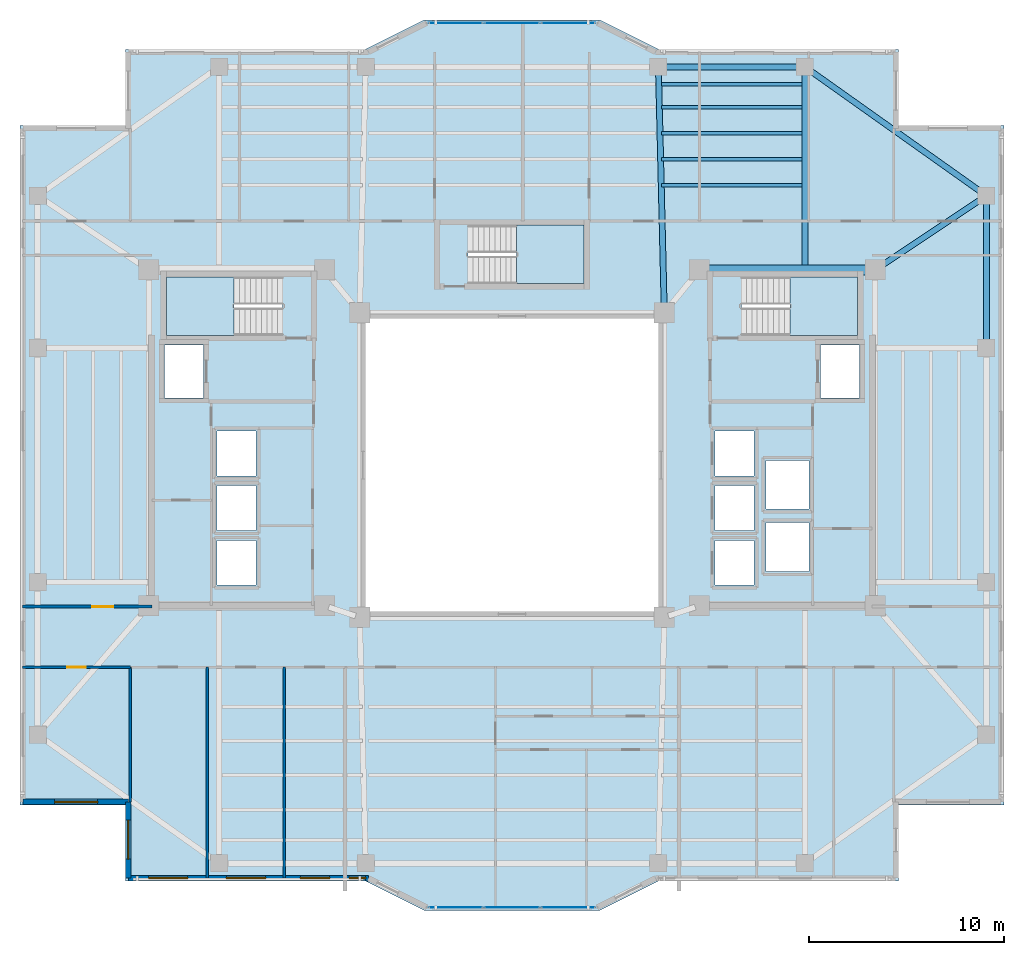
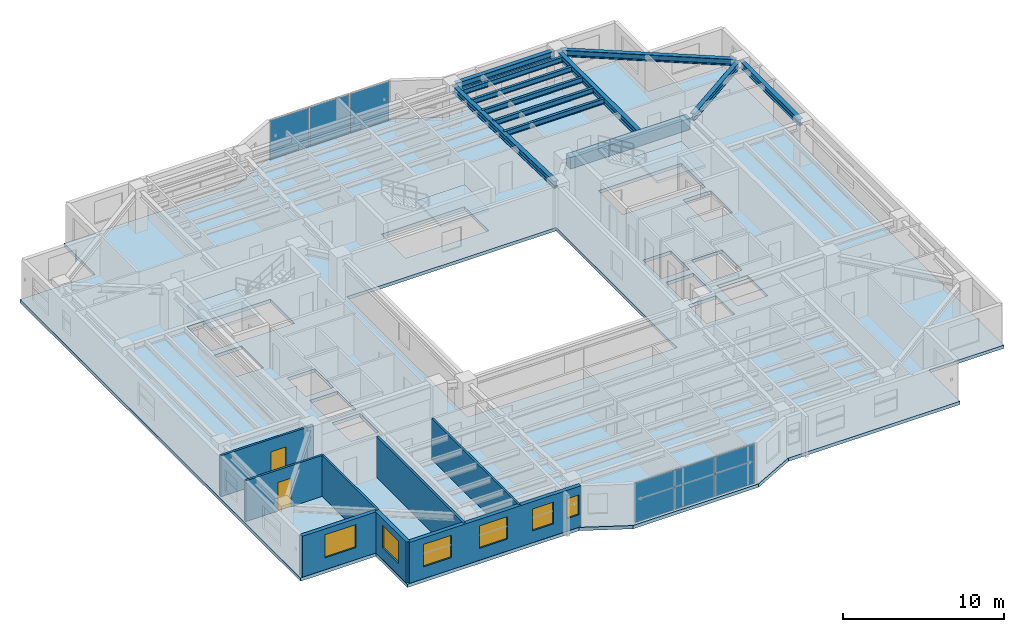
# One storey, part 5 of 15: 12 beams, 8 walls, 6 plates, 6 windows, 4 slabs, 2 doors, 8 openings, 5 elements without a shape of their own.
"""IFC4 building model written with IfcOpenShell, lengths in metres."""

from ifc_helpers import new_model, si_unit, direction, frame, frame_2d, origin, origin_2d, place, context, subcontext, project, spatial, polyline, rectangle, i_section, outline, extrude, material, layer, layer_set, material_profile, profile_set, type_object, element, fill, aggregate, save


model = new_model("IFC4")

# Units and contexts
model_context = context("Model", 3, precision=1e-05, world=origin(), true_north=direction((0.0, 1.0)))
body_context = subcontext(model_context, "Body", "Model", "MODEL_VIEW")
ifc_project = project(units=[si_unit("LENGTHUNIT", "METRE"), si_unit("AREAUNIT", "SQUARE_METRE"), si_unit("VOLUMEUNIT", "CUBIC_METRE"), si_unit("PLANEANGLEUNIT", "RADIAN"), si_unit("MASSUNIT", "GRAM", prefix="KILO")], contexts=[model_context])

# Site, building, storey
site_placement = place(None, origin())
site = spatial("IfcSite", under=ifc_project, at=site_placement, CompositionType="ELEMENT")
building_placement = place(site_placement, origin())
building = spatial("IfcBuilding", under=site, at=building_placement, Name="Tarnavaz Court Tower", CompositionType="ELEMENT")
storey_placement = place(building_placement, frame((0.0, 0.0, 142.64990234375)))
storey = spatial("IfcBuildingStorey", under=building, at=storey_placement, Name="L38", CompositionType="ELEMENT", Elevation=142.64990234375)

# Beams
ifc_material_1 = material(Name="Concrete C50/60", Category="concrete")
ifc_material_profile_1 = material_profile(ifc_material_1, rectangle(XDim=0.5, YDim=0.85009765625, at=origin_2d()), Name="RC 500X850")
ifc_profile_set_1 = profile_set([ifc_material_profile_1], Name="Concrete C50/60")
beam_type_1 = type_object("IfcBeamType", Name="BM-CB850", PredefinedType="LINTEL", material=ifc_profile_set_1)
beam_1_placement = place(storey_placement, frame((18.3798828125, 10.0, 2.675048828125), z_axis=(-1.0, 0.0, 0.0), x_axis=(0.0, -1.0, 0.0)))
element("IfcBeam", 1, at=beam_1_placement, inside=storey, type_object=beam_type_1, Name="L38 Beam IN-CE-NO-CE-NI", PredefinedType="LINTEL", context=body_context, shape_type="SweptSolid", body=[
    extrude(rectangle(XDim=0.5, YDim=0.85009765625, at=origin_2d()), origin(), (0.0, 0.0, 1.0), 8.559814453125),
])
ifc_material_2 = material(Name="Steel S355", Category="steel")
ifc_material_profile_2 = material_profile(ifc_material_2, i_section(OverallWidth=0.300048828125, OverallDepth=0.5, WebThickness=0.014404296875, FlangeThickness=0.028076171875, FilletRadius=0.027099609375, at=origin_2d()), Name="HEB 500")
ifc_profile_set_2 = profile_set([ifc_material_profile_2], Name="Steel S355")
beam_type_2 = type_object("IfcBeamType", Name="BM-G-HEB500", PredefinedType="USERDEFINED", material=ifc_profile_set_2)
beam_2_placement = place(storey_placement, frame((7.794921875, 8.02001953125, 2.85009765625), z_axis=(-0.023824748444, 0.999716150395, 0.0), x_axis=(-0.999716150395, -0.023824748444, 0.0)))
element("IfcBeam", 2, at=beam_2_placement, inside=storey, type_object=beam_type_2, Name="L38 Beam RG-03", ObjectType="GIRDER", PredefinedType="USERDEFINED", context=body_context, shape_type="SweptSolid", body=[
    extrude(i_section(OverallWidth=0.300048828125, OverallDepth=0.5, WebThickness=0.014404296875, FlangeThickness=0.028076171875, FilletRadius=0.027099609375, at=origin_2d()), origin(), (0.0, 0.0, 1.0), 12.16357421875),
])
beam_3_placement = place(storey_placement, frame((15.0, 10.0400390625, 2.85009765625), z_axis=(0.0, 1.0, 0.0), x_axis=(-1.0, 0.0, 0.0)))
element("IfcBeam", 3, at=beam_3_placement, inside=storey, type_object=beam_type_2, Name="L38 Beam RG-04", ObjectType="GIRDER", PredefinedType="USERDEFINED", context=body_context, shape_type="SweptSolid", body=[
    extrude(i_section(OverallWidth=0.300048828125, OverallDepth=0.5, WebThickness=0.014404296875, FlangeThickness=0.028076171875, FilletRadius=0.027099609375, at=origin_2d()), origin(), (0.0, 0.0, 1.0), 10.139892578125),
])
beam_4_placement = place(storey_placement, frame((18.783203125, 10.1220703125, 2.85009765625), z_axis=(0.832044435051, 0.554708985056, 0.0), x_axis=(-0.554708985056, 0.832044435051, 0.0)))
element("IfcBeam", 4, at=beam_4_placement, inside=storey, type_object=beam_type_2, Name="L38 Beam RG-12", ObjectType="GIRDER", PredefinedType="USERDEFINED", context=body_context, shape_type="SweptSolid", body=[
    extrude(i_section(OverallWidth=0.300048828125, OverallDepth=0.5, WebThickness=0.014404296875, FlangeThickness=0.028076171875, FilletRadius=0.027099609375, at=origin_2d()), origin(), (0.0, 0.0, 1.0), 6.410400390625),
])
ifc_material_profile_3 = material_profile(ifc_material_2, i_section(OverallWidth=0.179931640625, OverallDepth=0.39990234375, WebThickness=0.008544921875, FlangeThickness=0.013427734375, FilletRadius=0.02099609375, at=origin_2d()), Name="IPE 400")
ifc_profile_set_3 = profile_set([ifc_material_profile_3], Name="Steel S355")
beam_type_3 = type_object("IfcBeamType", Name="BM-J-IPE400", PredefinedType="JOIST", material=ifc_profile_set_3)
for number, where, z_axis, x_axis, name in (
    (5, (7.64990234375, 14.33203125, 2.900146484375), (1.0, 0.0, 0.0), (0.0, 1.0, 0.0), "L38 Beam JN1-3"),
    (6, (7.64990234375, 15.6640625, 2.900146484375), (1.0, 0.0, 0.0), (0.0, 1.0, 0.0), "L38 Beam JN2-3"),
    (7, (7.64990234375, 16.99609375, 2.900146484375), (1.0, 0.0, 0.0), (0.0, 1.0, 0.0), "L38 Beam JN3-3"),
    (8, (7.64990234375, 18.327880859375, 2.900146484375), (1.0, 0.0, 0.0), (0.0, 1.0, 0.0), "L38 Beam JN4-3"),
    (9, (7.64990234375, 19.511962890625, 2.900146484375), (1.0, 0.0, 0.0), (0.0, 1.0, 0.0), "L38 Beam JN5-3"),
):
    element("IfcBeam", number, at=place(storey_placement, frame(where, z_axis=z_axis, x_axis=x_axis)), inside=storey, type_object=beam_type_3, Name=name, PredefinedType="JOIST", context=body_context, shape_type="SweptSolid", body=[
        extrude(i_section(OverallWidth=0.179931640625, OverallDepth=0.39990234375, WebThickness=0.008544921875, FlangeThickness=0.013427734375, FilletRadius=0.02099609375, at=origin_2d()), origin(), (0.0, 0.0, 1.0), 7.2001953125),
    ])
ifc_material_profile_4 = material_profile(ifc_material_2, i_section(OverallWidth=0.300048828125, OverallDepth=0.489990234375, WebThickness=0.011962890625, FlangeThickness=0.02294921875, FilletRadius=0.027099609375, at=origin_2d()), Name="HEA 500")
ifc_profile_set_4 = profile_set([ifc_material_profile_4], Name="Steel S355")
beam_type_4 = type_object("IfcBeamType", Name="BM-SP-HEA500", PredefinedType="SPANDREL", material=ifc_profile_set_4)
beam_5_placement = place(storey_placement, frame((7.719970703125, 20.39990234375, 2.85498046875), z_axis=(1.0, 0.0, 0.0), x_axis=(0.0, 1.0, 0.0)))
element("IfcBeam", 10, at=beam_5_placement, inside=storey, type_object=beam_type_4, Name="L38 Beam PR-PN-3-PN-4", PredefinedType="SPANDREL", context=body_context, shape_type="SweptSolid", body=[
    extrude(i_section(OverallWidth=0.300048828125, OverallDepth=0.489990234375, WebThickness=0.011962890625, FlangeThickness=0.02294921875, FilletRadius=0.027099609375, at=origin_2d()), origin(), (0.0, 0.0, 1.0), 7.06005859375),
])
beam_6_placement = place(storey_placement, frame((24.300048828125, 6.219970703125, 2.85498046875), z_axis=(0.0, 1.0, 0.0), x_axis=(-1.0, 0.0, 0.0)))
element("IfcBeam", 11, at=beam_6_placement, inside=storey, type_object=beam_type_4, Name="L38 Beam PR-PE-3-PE-4", PredefinedType="SPANDREL", context=body_context, shape_type="SweptSolid", body=[
    extrude(i_section(OverallWidth=0.300048828125, OverallDepth=0.489990234375, WebThickness=0.011962890625, FlangeThickness=0.02294921875, FilletRadius=0.027099609375, at=origin_2d()), origin(), (0.0, 0.0, 1.0), 7.360107421875),
])
beam_7_placement = place(storey_placement, frame((15.179443359375, 20.272705078125, 2.85498046875), z_axis=(0.815502059396, -0.57875417158, 0.0), x_axis=(0.57875417158, 0.815502059396, 0.0)))
element("IfcBeam", 12, at=beam_7_placement, inside=storey, type_object=beam_type_4, Name="L38 Beam PR-PN-4-PE-4", PredefinedType="SPANDREL", context=body_context, shape_type="SweptSolid", body=[
    extrude(i_section(OverallWidth=0.300048828125, OverallDepth=0.489990234375, WebThickness=0.011962890625, FlangeThickness=0.02294921875, FilletRadius=0.027099609375, at=origin_2d()), origin(), (0.0, 0.0, 1.0), 10.964111328125),
])

# Curtain wall, plates
ifc_material_3 = material(Name="Anodised Aluminium 6063-T6 and Solar Low-E Glazing", Category="aluminium")
ifc_layer_1 = layer(ifc_material_3, 0.159912109375)
ifc_layer_set_1 = layer_set([ifc_layer_1], Name="Anodised Aluminium 6063-T6 and Solar Low-E Glazing")
curtain_wall_type = type_object("IfcCurtainWallType", Name="CW-SYS-03", PredefinedType="NOTDEFINED", material=ifc_layer_set_1)
curtain_wall_1_placement = place(storey_placement, origin())
curtain_wall_1 = element("IfcCurtainWall", 13, at=curtain_wall_1_placement, inside=storey, type_object=curtain_wall_type, Name="L38 Iwan Prow Curtain Wall 7", PredefinedType="NOTDEFINED")
ifc_material_4 = material(Name="Double-Glazed Solar Low-E Glass", Category="glass")
ifc_layer_2 = layer(ifc_material_4, 0.028076171875)
ifc_layer_set_2 = layer_set([ifc_layer_2], Name="Double-Glazed Solar Low-E Glass")
plate_type = type_object("IfcPlateType", Name="CW-PAN-GLZ28", PredefinedType="CURTAIN_PANEL", material=ifc_layer_set_2)
plate_1_placement = place(storey_placement, frame((-2.88134765625, 22.64990234375, 0.06494140625), z_axis=(0.0, 0.0, 1.0), x_axis=(1.0, 0.0, 0.0)))
plate_1 = element("IfcPlate", 14, at=plate_1_placement, type_object=plate_type, Name="CW panel 1.1", PredefinedType="CURTAIN_PANEL", context=body_context, shape_type="SweptSolid", body=[
    extrude(rectangle(XDim=2.78759765625, YDim=0.028076171875, at=origin_2d()), origin(), (0.0, 0.0, 1.0), 2.969970703125),
])
plate_2_placement = place(storey_placement, frame((0.0, 22.64990234375, 0.06494140625), z_axis=(0.0, 0.0, 1.0), x_axis=(1.0, 0.0, 0.0)))
plate_2 = element("IfcPlate", 15, at=plate_2_placement, type_object=plate_type, Name="CW panel 2.1", PredefinedType="CURTAIN_PANEL", context=body_context, shape_type="SweptSolid", body=[
    extrude(rectangle(XDim=2.824951171875, YDim=0.028076171875, at=origin_2d()), origin(), (0.0, 0.0, 1.0), 2.969970703125),
])
plate_3_placement = place(storey_placement, frame((2.88134765625, 22.64990234375, 0.06494140625), z_axis=(0.0, 0.0, 1.0), x_axis=(1.0, 0.0, 0.0)))
plate_3 = element("IfcPlate", 16, at=plate_3_placement, type_object=plate_type, Name="CW panel 3.1", PredefinedType="CURTAIN_PANEL", context=body_context, shape_type="SweptSolid", body=[
    extrude(rectangle(XDim=2.78759765625, YDim=0.028076171875, at=origin_2d()), origin(), (0.0, 0.0, 1.0), 2.969970703125),
])
aggregate(curtain_wall_1, [plate_1, plate_2, plate_3])

curtain_wall_2_placement = place(storey_placement, origin())
curtain_wall_2 = element("IfcCurtainWall", 17, at=curtain_wall_2_placement, inside=storey, type_object=curtain_wall_type, Name="L38 Iwan Prow Curtain Wall 17", PredefinedType="NOTDEFINED")
plate_4_placement = place(storey_placement, frame((2.88134765625, -22.64990234375, 0.06494140625), z_axis=(0.0, 0.0, 1.0), x_axis=(-1.0, 0.0, 0.0)))
plate_4 = element("IfcPlate", 18, at=plate_4_placement, type_object=plate_type, Name="CW panel 1.1", PredefinedType="CURTAIN_PANEL", context=body_context, shape_type="SweptSolid", body=[
    extrude(rectangle(XDim=2.78759765625, YDim=0.028076171875, at=origin_2d()), origin(), (0.0, 0.0, 1.0), 2.969970703125),
])
plate_5_placement = place(storey_placement, frame((0.0, -22.64990234375, 0.06494140625), z_axis=(0.0, 0.0, 1.0), x_axis=(-1.0, 0.0, 0.0)))
plate_5 = element("IfcPlate", 19, at=plate_5_placement, type_object=plate_type, Name="CW panel 2.1", PredefinedType="CURTAIN_PANEL", context=body_context, shape_type="SweptSolid", body=[
    extrude(rectangle(XDim=2.824951171875, YDim=0.028076171875, at=origin_2d()), origin(), (0.0, 0.0, 1.0), 2.969970703125),
])
plate_6_placement = place(storey_placement, frame((-2.88134765625, -22.64990234375, 0.06494140625), z_axis=(0.0, 0.0, 1.0), x_axis=(-1.0, 0.0, 0.0)))
plate_6 = element("IfcPlate", 20, at=plate_6_placement, type_object=plate_type, Name="CW panel 3.1", PredefinedType="CURTAIN_PANEL", context=body_context, shape_type="SweptSolid", body=[
    extrude(rectangle(XDim=2.78759765625, YDim=0.028076171875, at=origin_2d()), origin(), (0.0, 0.0, 1.0), 2.969970703125),
])
aggregate(curtain_wall_2, [plate_4, plate_5, plate_6])

# Stair, slab
ifc_material_5 = material(Name="Concrete C40/50", Category="concrete")
stair_type = type_object("IfcStairType", Name="ST-TWR-20R", PredefinedType="HALF_TURN_STAIR", material=ifc_material_5)
stair_1_placement = place(storey_placement, origin())
stair_1 = element("IfcStair", 21, at=stair_1_placement, inside=storey, type_object=stair_type, Name="L38 West Core Pressurized Exit Stair ST-W1", PredefinedType="HALF_TURN_STAIR")
ifc_layer_3 = layer(ifc_material_5, 0.199951171875)
ifc_layer_set_3 = layer_set([ifc_layer_3], Name="Concrete C40/50")
slab_type_1 = type_object("IfcSlabType", Name="SL-LAND-200", PredefinedType="LANDING", material=ifc_layer_set_3)
slab_1_placement = place(storey_placement, frame((0.0, 0.0, 1.47509765625)))
slab_1 = element("IfcSlab", 22, at=slab_1_placement, type_object=slab_type_1, Name="ST-W1 landing 1", PredefinedType="LANDING", context=body_context, shape_type="SweptSolid", body=[
    extrude(outline(polyline([(-14.239990234375, 9.639892578125), (-17.699951171875, 9.639892578125), (-17.699951171875, 6.64990234375), (-14.239990234375, 6.64990234375), (-14.239990234375, 9.639892578125)])), origin(), (0.0, 0.0, 1.0), 0.199951171875),
])
aggregate(stair_1, [slab_1])

stair_2_placement = place(storey_placement, origin())
stair_2 = element("IfcStair", 23, at=stair_2_placement, inside=storey, type_object=stair_type, Name="L38 East Core Pressurized Exit Stair ST-E1", PredefinedType="HALF_TURN_STAIR")
slab_2_placement = place(storey_placement, frame((0.0, 0.0, 1.47509765625)))
slab_2 = element("IfcSlab", 24, at=slab_2_placement, type_object=slab_type_1, Name="ST-E1 landing 1", PredefinedType="LANDING", context=body_context, shape_type="SweptSolid", body=[
    extrude(outline(polyline([(14.239990234375, 6.64990234375), (17.699951171875, 6.64990234375), (17.699951171875, 9.639892578125), (14.239990234375, 9.639892578125), (14.239990234375, 6.64990234375)])), origin(), (0.0, 0.0, 1.0), 0.199951171875),
])
aggregate(stair_2, [slab_2])

stair_3_placement = place(storey_placement, origin())
stair_3 = element("IfcStair", 25, at=stair_3_placement, inside=storey, type_object=stair_type, Name="L38 North Ring Pressurized Exit Stair ST-N1", PredefinedType="HALF_TURN_STAIR")
slab_3_placement = place(storey_placement, frame((0.0, 0.0, 1.47509765625)))
slab_3 = element("IfcSlab", 26, at=slab_3_placement, type_object=slab_type_1, Name="ST-N1 landing 1", PredefinedType="LANDING", context=body_context, shape_type="SweptSolid", body=[
    extrude(outline(polyline([(0.239990234375, 9.300048828125), (3.699951171875, 9.300048828125), (3.699951171875, 12.2900390625), (0.239990234375, 12.2900390625), (0.239990234375, 9.300048828125)])), origin(), (0.0, 0.0, 1.0), 0.199951171875),
])
aggregate(stair_3, [slab_3])

# Slab
ifc_layer_4 = layer(ifc_material_5, 0.25)
ifc_layer_set_4 = layer_set([ifc_layer_4], Name="Concrete C40/50")
slab_type_2 = type_object("IfcSlabType", Name="SL-RES-250", PredefinedType="FLOOR", material=ifc_layer_set_4)
slab_4_placement = place(storey_placement, frame((0.0, 0.0, -0.25)))
element("IfcSlab", 27, at=slab_4_placement, inside=storey, type_object=slab_type_2, Name="L38 Structural Floor Slab", PredefinedType="FLOOR", context=body_context, shape_type="SweptSolid", body=[
    extrude(outline(polyline([(-19.800048828125, -21.300048828125), (-7.5, -21.300048828125), (-4.5, -22.800048828125), (4.5, -22.800048828125), (7.5, -21.300048828125), (19.800048828125, -21.300048828125), (19.800048828125, -17.39990234375), (25.199951171875, -17.39990234375), (25.199951171875, 17.39990234375), (19.800048828125, 17.39990234375), (19.800048828125, 21.300048828125), (7.5, 21.300048828125), (4.5, 22.800048828125), (-4.5, 22.800048828125), (-7.5, 21.300048828125), (-19.800048828125, 21.300048828125), (-19.800048828125, 17.39990234375), (-25.199951171875, 17.39990234375), (-25.199951171875, -17.39990234375), (-19.800048828125, -17.39990234375), (-19.800048828125, -21.300048828125)]), holes=[polyline([(-7.5, -7.5), (7.5, -7.5), (7.5, 7.5), (-7.5, 7.5), (-7.5, -7.5)]), polyline([(-11.7451171875, 9.639892578125), (-17.699951171875, 9.639892578125), (-17.699951171875, 6.64990234375), (-11.7451171875, 6.64990234375), (-11.7451171875, 9.639892578125)]), polyline([(11.7451171875, 6.64990234375), (17.699951171875, 6.64990234375), (17.699951171875, 9.639892578125), (11.7451171875, 9.639892578125), (11.7451171875, 6.64990234375)]), polyline([(-2.2548828125, 9.300048828125), (3.699951171875, 9.300048828125), (3.699951171875, 12.2900390625), (-2.2548828125, 12.2900390625), (-2.2548828125, 9.300048828125)]), polyline([(-17.800048828125, 3.449951171875), (-15.800048828125, 3.449951171875), (-15.800048828125, 6.14990234375), (-17.800048828125, 6.14990234375), (-17.800048828125, 3.449951171875)]), polyline([(-15.10009765625, -6.14990234375), (-13.10009765625, -6.14990234375), (-13.10009765625, -3.85009765625), (-15.10009765625, -3.85009765625), (-15.10009765625, -6.14990234375)]), polyline([(-15.10009765625, -3.35009765625), (-13.10009765625, -3.35009765625), (-13.10009765625, -1.050048828125), (-15.10009765625, -1.050048828125), (-15.10009765625, -3.35009765625)]), polyline([(-15.10009765625, -0.550048828125), (-13.10009765625, -0.550048828125), (-13.10009765625, 1.75), (-15.10009765625, 1.75), (-15.10009765625, -0.550048828125)]), polyline([(15.800048828125, 3.449951171875), (17.800048828125, 3.449951171875), (17.800048828125, 6.14990234375), (15.800048828125, 6.14990234375), (15.800048828125, 3.449951171875)]), polyline([(10.39990234375, -6.14990234375), (12.39990234375, -6.14990234375), (12.39990234375, -3.85009765625), (10.39990234375, -3.85009765625), (10.39990234375, -6.14990234375)]), polyline([(10.39990234375, -3.35009765625), (12.39990234375, -3.35009765625), (12.39990234375, -1.050048828125), (10.39990234375, -1.050048828125), (10.39990234375, -3.35009765625)]), polyline([(10.39990234375, -0.550048828125), (12.39990234375, -0.550048828125), (12.39990234375, 1.75), (10.39990234375, 1.75), (10.39990234375, -0.550048828125)]), polyline([(13.0, -5.449951171875), (15.199951171875, -5.449951171875), (15.199951171875, -2.949951171875), (13.0, -2.949951171875), (13.0, -5.449951171875)]), polyline([(13.0, -2.25), (15.199951171875, -2.25), (15.199951171875, 0.25), (13.0, 0.25), (13.0, -2.25)])]), origin(), (0.0, 0.0, 1.0), 0.25),
])

# Wall, opening, window
ifc_material_6 = material(Name="Precast Concrete C40/50", Category="concrete")
ifc_layer_5 = layer(ifc_material_6, 0.280029296875)
ifc_layer_set_5 = layer_set([ifc_layer_5], Name="Precast Concrete C40/50")
wall_type_1 = type_object("IfcWallType", Name="WL-EXT-280", PredefinedType="SOLIDWALL", material=ifc_layer_set_5)
wall_1_placement = place(storey_placement, frame((-19.64990234375, -17.25, 0.0), z_axis=(0.0, 0.0, 1.0), x_axis=(-1.0, 0.0, 0.0)))
wall_1 = element("IfcWall", 28, at=wall_1_placement, inside=storey, type_object=wall_type_1, Name="L38 Exterior Terracotta Facade Wall 01", PredefinedType="SOLIDWALL", context=body_context, shape_type="SweptSolid", body=[
    extrude(rectangle(XDim=5.400146484375, YDim=0.280029296875, at=frame_2d((2.7001953125, 0.0))), origin(), (0.0, 0.0, 1.0), 3.10009765625),
])
opening_1_placement = place(wall_1_placement, frame((1.574951171875, 0.0, 0.89990234375)))
opening_1 = element("IfcOpeningElement", 29, at=opening_1_placement, cuts=wall_1, Name="Opening W07", PredefinedType="OPENING", context=body_context, shape_type="SweptSolid", body=[
    extrude(rectangle(XDim=2.199951171875, YDim=1.75, at=frame_2d((1.10009765625, 0.875))), frame((0.0, 0.14990234375, 0.0), z_axis=(0.0, -1.0, 0.0), x_axis=(1.0, 0.0, 0.0)), (0.0, 0.0, 1.0), 0.300048828125),
])
window_type_1 = type_object("IfcWindowType", Name="WN-APT-2200", PartitioningType="TRIPLE_PANEL_VERTICAL", PredefinedType="WINDOW", material=ifc_material_4)
window_1_placement = place(opening_1_placement, origin())
window_1 = element("IfcWindow", 30, at=window_1_placement, inside=storey, type_object=window_type_1, Name="L38 South-West Corner Reading Room Window", OverallHeight=1.75, OverallWidth=2.199951171875, PartitioningType="SINGLE_PANEL", PredefinedType="WINDOW", context=body_context, shape_type="SweptSolid", body=[
    extrude(rectangle(XDim=2.199951171875, YDim=1.75, at=frame_2d((1.10009765625, 0.875))), frame((0.0, 0.030029296875, 0.0), z_axis=(0.0, -1.0, 0.0), x_axis=(1.0, 0.0, 0.0)), (0.0, 0.0, 1.0), 0.06005859375),
])
fill(opening_1, window_1)

# Wall, openings, windows
wall_2_placement = place(storey_placement, frame((-7.35009765625, -21.14990234375, 0.0), z_axis=(0.0, 0.0, 1.0), x_axis=(-1.0, 0.0, 0.0)))
wall_2 = element("IfcWall", 31, at=wall_2_placement, inside=storey, type_object=wall_type_1, Name="L38 Exterior Terracotta Facade Wall 19", PredefinedType="SOLIDWALL", context=body_context, shape_type="SweptSolid", body=[
    extrude(rectangle(XDim=12.2998046875, YDim=0.280029296875, at=frame_2d((6.14990234375, 0.0))), origin(), (0.0, 0.0, 1.0), 3.10009765625),
])
opening_2_placement = place(wall_2_placement, frame((0.147216796875, 0.0, 0.949951171875)))
opening_2 = element("IfcOpeningElement", 32, at=opening_2_placement, cuts=wall_2, Name="Opening W15", PredefinedType="OPENING", context=body_context, shape_type="SweptSolid", body=[
    extrude(rectangle(XDim=0.85009765625, YDim=1.5, at=frame_2d((0.425048828125, 0.75))), frame((0.0, 0.14990234375, 0.0), z_axis=(0.0, -1.0, 0.0), x_axis=(1.0, 0.0, 0.0)), (0.0, 0.0, 1.0), 0.300048828125),
])
opening_3_placement = place(wall_2_placement, frame((1.986083984375, 0.0, 0.89990234375)))
opening_3 = element("IfcOpeningElement", 33, at=opening_3_placement, cuts=wall_2, Name="Opening W03", PredefinedType="OPENING", context=body_context, shape_type="SweptSolid", body=[
    extrude(rectangle(XDim=1.5, YDim=1.64990234375, at=frame_2d((0.75, 0.824951171875))), frame((0.0, 0.14990234375, 0.0), z_axis=(0.0, -1.0, 0.0), x_axis=(1.0, 0.0, 0.0)), (0.0, 0.0, 1.0), 0.300048828125),
])
opening_4_placement = place(wall_2_placement, frame((5.275390625, 0.0, 0.89990234375)))
opening_4 = element("IfcOpeningElement", 34, at=opening_4_placement, cuts=wall_2, Name="Opening W08", PredefinedType="OPENING", context=body_context, shape_type="SweptSolid", body=[
    extrude(rectangle(XDim=2.0, YDim=1.699951171875, at=frame_2d((1.0, 0.85009765625))), frame((0.0, 0.14990234375, 0.0), z_axis=(0.0, -1.0, 0.0), x_axis=(1.0, 0.0, 0.0)), (0.0, 0.0, 1.0), 0.300048828125),
])
opening_5_placement = place(wall_2_placement, frame((9.2666015625, 0.0, 0.89990234375)))
opening_5 = element("IfcOpeningElement", 35, at=opening_5_placement, cuts=wall_2, Name="Opening W08", PredefinedType="OPENING", context=body_context, shape_type="SweptSolid", body=[
    extrude(rectangle(XDim=2.0, YDim=1.699951171875, at=frame_2d((1.0, 0.85009765625))), frame((0.0, 0.14990234375, 0.0), z_axis=(0.0, -1.0, 0.0), x_axis=(1.0, 0.0, 0.0)), (0.0, 0.0, 1.0), 0.300048828125),
])
window_type_2 = type_object("IfcWindowType", Name="WN-APT-1500", PartitioningType="DOUBLE_PANEL_VERTICAL", PredefinedType="WINDOW", material=ifc_material_4)
window_2_placement = place(opening_3_placement, origin())
window_2 = element("IfcWindow", 36, at=window_2_placement, inside=storey, type_object=window_type_2, Name="L38 Shared Community Tea Pantry Window", OverallHeight=1.64990234375, OverallWidth=1.5, PartitioningType="SINGLE_PANEL", PredefinedType="WINDOW", context=body_context, shape_type="SweptSolid", body=[
    extrude(rectangle(XDim=1.5, YDim=1.64990234375, at=frame_2d((0.75, 0.824951171875))), frame((0.0, 0.030029296875, 0.0), z_axis=(0.0, -1.0, 0.0), x_axis=(1.0, 0.0, 0.0)), (0.0, 0.0, 1.0), 0.06005859375),
])
fill(opening_3, window_2)
window_type_3 = type_object("IfcWindowType", Name="WN-APT-2000", PartitioningType="DOUBLE_PANEL_VERTICAL", PredefinedType="WINDOW", material=ifc_material_4)
window_3_placement = place(opening_4_placement, origin())
window_3 = element("IfcWindow", 37, at=window_3_placement, inside=storey, type_object=window_type_3, Name="L38 Children Playroom and Daycare Window", OverallHeight=1.699951171875, OverallWidth=2.0, PartitioningType="SINGLE_PANEL", PredefinedType="WINDOW", context=body_context, shape_type="SweptSolid", body=[
    extrude(rectangle(XDim=2.0, YDim=1.699951171875, at=frame_2d((1.0, 0.85009765625))), frame((0.0, 0.030029296875, 0.0), z_axis=(0.0, -1.0, 0.0), x_axis=(1.0, 0.0, 0.0)), (0.0, 0.0, 1.0), 0.06005859375),
])
fill(opening_4, window_3)
window_4_placement = place(opening_5_placement, origin())
window_4 = element("IfcWindow", 38, at=window_4_placement, inside=storey, type_object=window_type_3, Name="L38 Resident Fitness and Yoga Studio Window", OverallHeight=1.699951171875, OverallWidth=2.0, PartitioningType="SINGLE_PANEL", PredefinedType="WINDOW", context=body_context, shape_type="SweptSolid", body=[
    extrude(rectangle(XDim=2.0, YDim=1.699951171875, at=frame_2d((1.0, 0.85009765625))), frame((0.0, 0.030029296875, 0.0), z_axis=(0.0, -1.0, 0.0), x_axis=(1.0, 0.0, 0.0)), (0.0, 0.0, 1.0), 0.06005859375),
])
fill(opening_5, window_4)
window_type_4 = type_object("IfcWindowType", Name="WN-APT-850", PartitioningType="SINGLE_PANEL", PredefinedType="WINDOW", material=ifc_material_4)
window_5_placement = place(opening_2_placement, origin())
window_5 = element("IfcWindow", 39, at=window_5_placement, inside=storey, type_object=window_type_4, Name="L38 Flat 01 Living and Dining Room Window", OverallHeight=1.5, OverallWidth=0.85009765625, PartitioningType="SINGLE_PANEL", PredefinedType="WINDOW", context=body_context, shape_type="SweptSolid", body=[
    extrude(rectangle(XDim=0.85009765625, YDim=1.5, at=frame_2d((0.425048828125, 0.75))), frame((0.0, 0.030029296875, 0.0), z_axis=(0.0, -1.0, 0.0), x_axis=(1.0, 0.0, 0.0)), (0.0, 0.0, 1.0), 0.06005859375),
])
fill(opening_2, window_5)

# Wall, opening, window
wall_3_placement = place(storey_placement, frame((-19.64990234375, -21.14990234375, 0.0), z_axis=(0.0, 0.0, 1.0), x_axis=(0.0, 1.0, 0.0)))
wall_3 = element("IfcWall", 40, at=wall_3_placement, inside=storey, type_object=wall_type_1, Name="L38 Exterior Terracotta Facade Wall 20", PredefinedType="SOLIDWALL", context=body_context, shape_type="SweptSolid", body=[
    extrude(rectangle(XDim=3.89990234375, YDim=0.280029296875, at=frame_2d((1.949951171875, 0.0))), origin(), (0.0, 0.0, 1.0), 3.10009765625),
])
opening_6_placement = place(wall_3_placement, frame((0.9677734375, 0.0, 0.89990234375)))
opening_6 = element("IfcOpeningElement", 41, at=opening_6_placement, cuts=wall_3, Name="Opening W08", PredefinedType="OPENING", context=body_context, shape_type="SweptSolid", body=[
    extrude(rectangle(XDim=2.0, YDim=1.699951171875, at=frame_2d((1.0, 0.85009765625))), frame((0.0, 0.14990234375, 0.0), z_axis=(0.0, -1.0, 0.0), x_axis=(1.0, 0.0, 0.0)), (0.0, 0.0, 1.0), 0.300048828125),
])
window_6_placement = place(opening_6_placement, origin())
window_6 = element("IfcWindow", 42, at=window_6_placement, inside=storey, type_object=window_type_3, Name="L38 Resident Fitness and Yoga Studio Window", OverallHeight=1.699951171875, OverallWidth=2.0, PartitioningType="SINGLE_PANEL", PredefinedType="WINDOW", context=body_context, shape_type="SweptSolid", body=[
    extrude(rectangle(XDim=2.0, YDim=1.699951171875, at=frame_2d((1.0, 0.85009765625))), frame((0.0, 0.030029296875, 0.0), z_axis=(0.0, -1.0, 0.0), x_axis=(1.0, 0.0, 0.0)), (0.0, 0.0, 1.0), 0.06005859375),
])
fill(opening_6, window_6)

# Wall, opening, door
ifc_material_7 = material(Name="Gypsum Fire-Board on Acoustic Metal Stud", Category="masonry")
ifc_layer_6 = layer(ifc_material_7, 0.14990234375)
ifc_layer_set_6 = layer_set([ifc_layer_6], Name="Gypsum Fire-Board on Acoustic Metal Stud")
wall_type_2 = type_object("IfcWallType", Name="WL-FIRE-150", PredefinedType="PARTITIONING", material=ifc_layer_set_6)
wall_4_placement = place(storey_placement, frame((-25.080078125, -7.25, 0.0), z_axis=(0.0, 0.0, 1.0), x_axis=(1.0, 0.0, 0.0)))
wall_4 = element("IfcWall", 43, at=wall_4_placement, inside=storey, type_object=wall_type_2, Name="L38 Interior Partition 095", PredefinedType="PARTITIONING", context=body_context, shape_type="SweptSolid", body=[
    extrude(rectangle(XDim=6.630126953125, YDim=0.14990234375, at=frame_2d((3.31494140625, 0.0))), origin(), (0.0, 0.0, 1.0), 3.10009765625),
])
opening_7_placement = place(wall_4_placement, frame((3.580078125, 0.0, 0.0)))
opening_7 = element("IfcOpeningElement", 44, at=opening_7_placement, cuts=wall_4, Name="Opening D12", PredefinedType="OPENING", context=body_context, shape_type="SweptSolid", body=[
    extrude(rectangle(XDim=1.080078125, YDim=2.14990234375, at=frame_2d((0.5400390625, 1.074951171875))), frame((0.0, 0.0849609375, 0.0), z_axis=(0.0, -1.0, 0.0), x_axis=(1.0, 0.0, 0.0)), (0.0, 0.0, 1.0), 0.169921875),
])
ifc_material_8 = material(Name="Engineered Oak Timber", Category="wood")
door_type_1 = type_object("IfcDoorType", Name="DR-INT-1100", OperationType="NOTDEFINED", PredefinedType="DOOR", material=ifc_material_8)
door_1_placement = place(opening_7_placement, origin())
door_1 = element("IfcDoor", 45, at=door_1_placement, inside=storey, type_object=door_type_1, Name="L38 West Study Gallery Door", OperationType="SINGLE_SWING_LEFT", OverallHeight=2.14990234375, OverallWidth=1.080078125, PredefinedType="DOOR", context=body_context, shape_type="SweptSolid", body=[
    extrude(rectangle(XDim=1.080078125, YDim=2.14990234375, at=frame_2d((0.5400390625, 1.074951171875))), frame((0.0, 0.02490234375, 0.0), z_axis=(0.0, -1.0, 0.0), x_axis=(1.0, 0.0, 0.0)), (0.0, 0.0, 1.0), 0.050048828125),
])
fill(opening_7, door_1)

wall_5_placement = place(storey_placement, frame((-25.080078125, -10.35009765625, 0.0), z_axis=(0.0, 0.0, 1.0), x_axis=(1.0, 0.0, 0.0)))
wall_5 = element("IfcWall", 46, at=wall_5_placement, inside=storey, type_object=wall_type_2, Name="L38 Interior Partition 105", PredefinedType="PARTITIONING", context=body_context, shape_type="SweptSolid", body=[
    extrude(rectangle(XDim=5.530029296875, YDim=0.14990234375, at=frame_2d((2.76513671875, 0.0))), origin(), (0.0, 0.0, 1.0), 3.10009765625),
])
opening_8_placement = place(wall_5_placement, frame((2.2900390625, 0.0, 0.0)))
opening_8 = element("IfcOpeningElement", 47, at=opening_8_placement, cuts=wall_5, Name="Opening D13", PredefinedType="OPENING", context=body_context, shape_type="SweptSolid", body=[
    extrude(rectangle(XDim=0.949951171875, YDim=2.14990234375, at=frame_2d((0.47509765625, 1.074951171875))), frame((0.0, 0.0849609375, 0.0), z_axis=(0.0, -1.0, 0.0), x_axis=(1.0, 0.0, 0.0)), (0.0, 0.0, 1.0), 0.169921875),
])
door_type_2 = type_object("IfcDoorType", Name="DR-INT-950", OperationType="NOTDEFINED", PredefinedType="DOOR", material=ifc_material_8)
door_2_placement = place(opening_8_placement, origin())
door_2 = element("IfcDoor", 48, at=door_2_placement, inside=storey, type_object=door_type_2, Name="L38 SW Reading Room Door", OperationType="SINGLE_SWING_LEFT", OverallHeight=2.14990234375, OverallWidth=0.949951171875, PredefinedType="DOOR", context=body_context, shape_type="SweptSolid", body=[
    extrude(rectangle(XDim=0.949951171875, YDim=2.14990234375, at=frame_2d((0.47509765625, 1.074951171875))), frame((0.0, 0.02490234375, 0.0), z_axis=(0.0, -1.0, 0.0), x_axis=(1.0, 0.0, 0.0)), (0.0, 0.0, 1.0), 0.050048828125),
])
fill(opening_8, door_2)

# Walls
ifc_material_9 = material(Name="Gypsum Plasterboard Acoustic Partition", Category="masonry")
ifc_layer_7 = layer(ifc_material_9, 0.139892578125)
ifc_layer_set_7 = layer_set([ifc_layer_7], Name="Gypsum Plasterboard Acoustic Partition")
wall_type_3 = type_object("IfcWallType", Name="WL-PART-150", PredefinedType="PARTITIONING", material=ifc_layer_set_7)
for number, where, z_axis, x_axis, name in (
    (49, (-15.60791015625, -21.14990234375, 0.0), (0.0, 0.0, 1.0), (0.0, 1.0, 0.0), "L38 Interior Partition 082"),
    (50, (-11.666015625, -21.14990234375, 0.0), (0.0, 0.0, 1.0), (0.0, 1.0, 0.0), "L38 Interior Partition 083"),
):
    element("IfcWall", number, at=place(storey_placement, frame(where, z_axis=z_axis, x_axis=x_axis)), inside=storey, type_object=wall_type_3, Name=name, PredefinedType="PARTITIONING", context=body_context, shape_type="SweptSolid", body=[
        extrude(rectangle(XDim=10.7998046875, YDim=0.139892578125, at=frame_2d((5.39990234375, 0.0))), origin(), (0.0, 0.0, 1.0), 3.10009765625),
    ])
wall_6_placement = place(storey_placement, frame((-19.550048828125, -17.25, 0.0), z_axis=(0.0, 0.0, 1.0), x_axis=(0.0, 1.0, 0.0)))
element("IfcWall", 51, at=wall_6_placement, inside=storey, type_object=wall_type_3, Name="L38 Interior Partition 099", PredefinedType="PARTITIONING", context=body_context, shape_type="SweptSolid", body=[
    extrude(rectangle(XDim=6.89990234375, YDim=0.139892578125, at=frame_2d((3.449951171875, 0.0))), origin(), (0.0, 0.0, 1.0), 3.10009765625),
])

save(model, "model.ifc")
